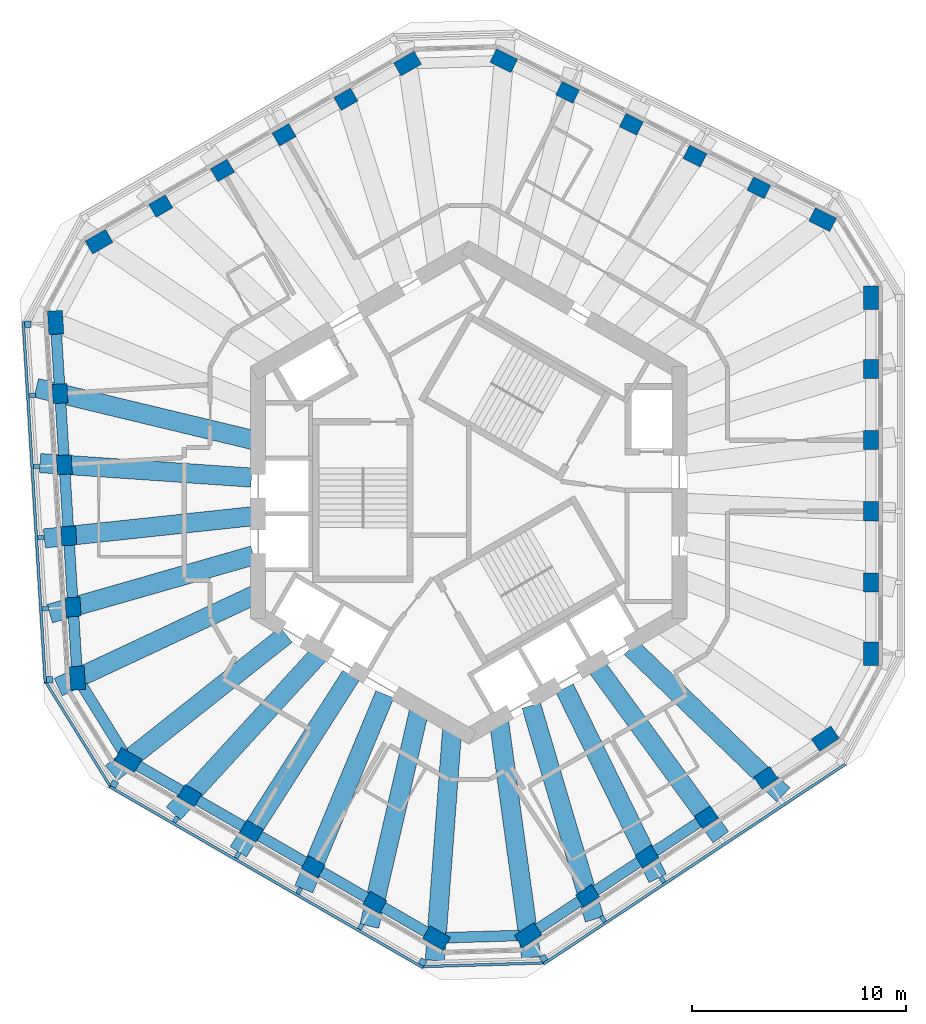
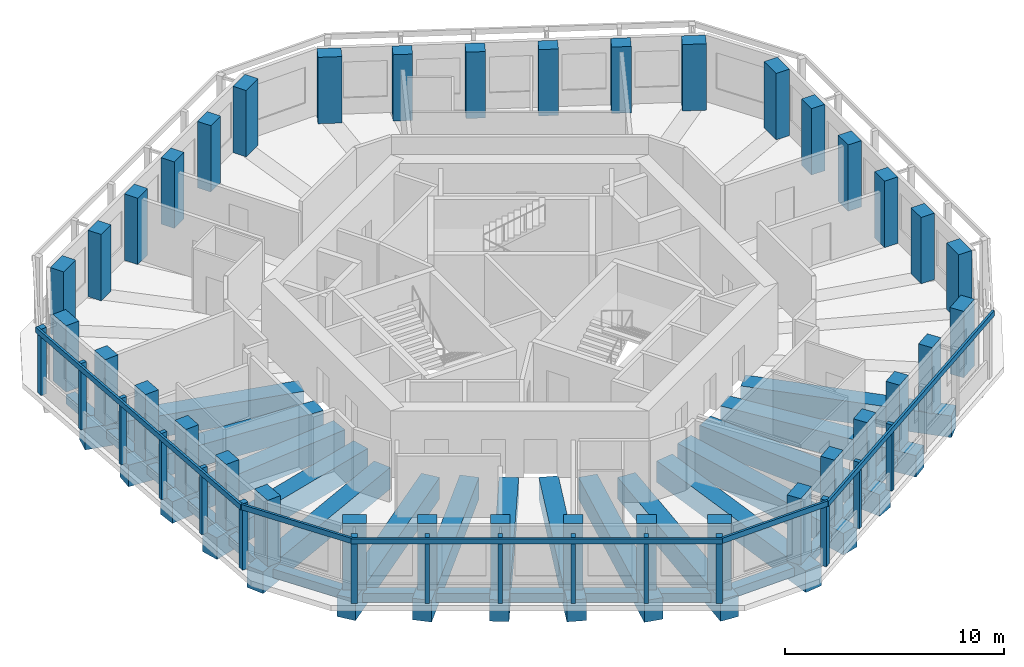
# One storey, part 1 of 11: 36 columns, 31 beams, 20 members, 5 elements without a shape of their own.
"""IFC4 building model written with IfcOpenShell, lengths in metres."""

from ifc_helpers import new_model, si_unit, direction, frame, origin, origin_2d, place, context, subcontext, project, spatial, rectangle, extrude, material, material_profile, profile_set, type_object, element, aggregate, save


model = new_model("IFC4")

# Units and contexts
model_context = context("Model", 3, precision=1e-05, world=origin(), true_north=direction((0.0, 1.0)))
body_context = subcontext(model_context, "Body", "Model", "MODEL_VIEW")
ifc_project = project(units=[si_unit("LENGTHUNIT", "METRE"), si_unit("AREAUNIT", "SQUARE_METRE"), si_unit("VOLUMEUNIT", "CUBIC_METRE"), si_unit("PLANEANGLEUNIT", "RADIAN"), si_unit("MASSUNIT", "GRAM", prefix="KILO")], contexts=[model_context])

# Site, building, storey
site_placement = place(None, origin())
site = spatial("IfcSite", under=ifc_project, at=site_placement, CompositionType="ELEMENT")
building_placement = place(site_placement, origin())
building = spatial("IfcBuilding", under=site, at=building_placement, Name="Vanh Sen Convention Tower", CompositionType="ELEMENT")
storey_placement = place(building_placement, frame((0.0, 0.0, 259.800048828125)))
storey = spatial("IfcBuildingStorey", under=building, at=storey_placement, Name="L64", CompositionType="ELEMENT", Elevation=259.800048828125)

# Columns
ifc_material_1 = material(Name="Concrete C60/75", Category="concrete")
ifc_material_profile_1 = material_profile(ifc_material_1, rectangle(XDim=0.89990234375, YDim=0.699951171875, at=origin_2d()), Name="RC 900X700")
ifc_profile_set_1 = profile_set([ifc_material_profile_1], Name="Concrete C60/75")
column_type_1 = type_object("IfcColumnType", Name="Facade column 900 x 700 C60/75", PredefinedType="COLUMN", material=ifc_profile_set_1)
for number, where, z_axis, x_axis, name in (
    (1, (18.800048828125, -4.215087890625, 0.0), (0.0, 0.0, 1.0), (0.0, 1.0, 0.0), "Facade column 02 L64"),
    (2, (18.800048828125, -0.88330078125, 0.0), (0.0, 0.0, 1.0), (0.0, 1.0, 0.0), "Facade column 03 L64"),
    (3, (18.800048828125, 2.4482421875, 0.0), (0.0, 0.0, 1.0), (0.0, 1.0, 0.0), "Facade column 04 L64"),
    (4, (18.800048828125, 5.77978515625, 0.0), (0.0, 0.0, 1.0), (0.0, 1.0, 0.0), "Facade column 05 L64"),
    (5, (13.56103515625, 14.245849609375, 0.0), (0.0, 0.0, 1.0), (-0.894934361602, 0.44619781311, 0.0), "Facade column 08 L64"),
    (6, (10.57958984375, 15.732421875, 0.0), (0.0, 0.0, 1.0), (-0.894934361602, 0.44619781311, 0.0), "Facade column 09 L64"),
    (7, (7.597900390625, 17.218994140625, 0.0), (0.0, 0.0, 1.0), (-0.894934361602, 0.44619781311, 0.0), "Facade column 10 L64"),
    (8, (4.6162109375, 18.70556640625, 0.0), (0.0, 0.0, 1.0), (-0.894934361602, 0.44619781311, 0.0), "Facade column 11 L64"),
    (9, (-5.74951171875, 18.388916015625, 0.0), (0.0, 0.0, 1.0), (-0.866025403784, -0.5, 0.0), "Facade column 14 L64"),
    (10, (-8.635009765625, 16.722900390625, 0.0), (0.0, 0.0, 1.0), (-0.866025403784, -0.5, 0.0), "Facade column 15 L64"),
    (11, (-11.520263671875, 15.05712890625, 0.0), (0.0, 0.0, 1.0), (-0.866025403784, -0.5, 0.0), "Facade column 16 L64"),
    (12, (-14.405517578125, 13.391357421875, 0.0), (0.0, 0.0, 1.0), (-0.866025403784, -0.5, 0.0), "Facade column 17 L64"),
    (13, (-19.117919921875, 4.621337890625, 0.0), (0.0, 0.0, 1.0), (0.061048539535, -0.998134798422, 0.0), "Facade column 20 L64"),
    (14, (-18.914306640625, 1.2958984375, 0.0), (0.0, 0.0, 1.0), (0.061048539535, -0.998134798422, 0.0), "Facade column 21 L64"),
    (15, (-18.7109375, -2.029541015625, 0.0), (0.0, 0.0, 1.0), (0.061048539535, -0.998134798422, 0.0), "Facade column 22 L64"),
    (16, (-18.507568359375, -5.35498046875, 0.0), (0.0, 0.0, 1.0), (0.061048539535, -0.998134798422, 0.0), "Facade column 23 L64"),
    (17, (-13.05029296875, -14.173583984375, 0.0), (0.0, 0.0, 1.0), (0.866025403784, -0.5, 0.0), "Facade column 26 L64"),
    (18, (-10.1650390625, -15.839599609375, 0.0), (0.0, 0.0, 1.0), (0.866025403784, -0.5, 0.0), "Facade column 27 L64"),
    (19, (-7.27978515625, -17.50537109375, 0.0), (0.0, 0.0, 1.0), (0.866025403784, -0.5, 0.0), "Facade column 28 L64"),
    (20, (-4.39453125, -19.171142578125, 0.0), (0.0, 0.0, 1.0), (0.866025403784, -0.5, 0.0), "Facade column 29 L64"),
    (21, (5.556640625, -18.8671875, 0.0), (0.0, 0.0, 1.0), (0.833885822067, 0.551936985312, 0.0), "Facade column 32 L64"),
    (22, (8.3349609375, -17.0283203125, 0.0), (0.0, 0.0, 1.0), (0.833885822067, 0.551936985312, 0.0), "Facade column 33 L64"),
    (23, (11.113037109375, -15.189453125, 0.0), (0.0, 0.0, 1.0), (0.833885822067, 0.551936985312, 0.0), "Facade column 34 L64"),
    (24, (13.891357421875, -13.3505859375, 0.0), (0.0, 0.0, 1.0), (0.833885822067, 0.551936985312, 0.0), "Facade column 35 L64"),
):
    element("IfcColumn", number, at=place(storey_placement, frame(where, z_axis=z_axis, x_axis=x_axis)), inside=storey, type_object=column_type_1, Name=name, PredefinedType="COLUMN", context=body_context, shape_type="SweptSolid", body=[
        extrude(rectangle(XDim=0.89990234375, YDim=0.699951171875, at=origin_2d()), origin(), (0.0, 0.0, 1.0), 3.699951171875),
    ])
ifc_material_profile_2 = material_profile(ifc_material_1, rectangle(XDim=1.10009765625, YDim=0.699951171875, at=origin_2d()), Name="RC 1100X700")
ifc_profile_set_2 = profile_set([ifc_material_profile_2], Name="Concrete C60/75")
column_type_2 = type_object("IfcColumnType", Name="Facade corner column 1100 x 700 C60/75", PredefinedType="COLUMN", material=ifc_profile_set_2)
for number, where, z_axis, x_axis, name in (
    (25, (18.800048828125, -7.546630859375, 0.0), (0.0, 0.0, 1.0), (0.0, 1.0, 0.0), "Facade column 01 L64"),
    (26, (18.800048828125, 9.111572265625, 0.0), (0.0, 0.0, 1.0), (0.0, 1.0, 0.0), "Facade column 06 L64"),
    (27, (16.542724609375, 12.75927734375, 0.0), (0.0, 0.0, 1.0), (-0.894934361602, 0.44619781311, 0.0), "Facade column 07 L64"),
    (28, (1.634765625, 20.192138671875, 0.0), (0.0, 0.0, 1.0), (-0.894934361602, 0.44619781311, 0.0), "Facade column 12 L64"),
    (29, (-2.8642578125, 20.0546875, 0.0), (0.0, 0.0, 1.0), (-0.866025403784, -0.5, 0.0), "Facade column 13 L64"),
    (30, (-17.290771484375, 11.7255859375, 0.0), (0.0, 0.0, 1.0), (-0.866025403784, -0.5, 0.0), "Facade column 18 L64"),
    (31, (-19.3212890625, 7.94677734375, 0.0), (0.0, 0.0, 1.0), (0.061048539535, -0.998134798422, 0.0), "Facade column 19 L64"),
    (32, (-18.30419921875, -8.680419921875, 0.0), (0.0, 0.0, 1.0), (0.061048539535, -0.998134798422, 0.0), "Facade column 24 L64"),
    (33, (-15.935791015625, -12.5078125, 0.0), (0.0, 0.0, 1.0), (0.866025403784, -0.5, 0.0), "Facade column 25 L64"),
    (34, (-1.50927734375, -20.8369140625, 0.0), (0.0, 0.0, 1.0), (0.866025403784, -0.5, 0.0), "Facade column 30 L64"),
    (35, (2.7783203125, -20.7060546875, 0.0), (0.0, 0.0, 1.0), (0.833885822067, 0.551936985312, 0.0), "Facade column 31 L64"),
    (36, (16.66943359375, -11.51171875, 0.0), (0.0, 0.0, 1.0), (0.833885822067, 0.551936985312, 0.0), "Facade column 36 L64"),
):
    element("IfcColumn", number, at=place(storey_placement, frame(where, z_axis=z_axis, x_axis=x_axis)), inside=storey, type_object=column_type_2, Name=name, PredefinedType="COLUMN", context=body_context, shape_type="SweptSolid", body=[
        extrude(rectangle(XDim=1.10009765625, YDim=0.699951171875, at=origin_2d()), origin(), (0.0, 0.0, 1.0), 3.699951171875),
    ])

# Curtain wall, members
ifc_material_2 = material(Name="Concrete C50/60", Category="concrete")
curtain_wall_type = type_object("IfcCurtainWallType", Name="Outer skin office zone", PredefinedType="NOTDEFINED", material=ifc_material_2)
curtain_wall_1_placement = place(storey_placement, origin())
curtain_wall_1 = element("IfcCurtainWall", 37, at=curtain_wall_1_placement, inside=storey, type_object=curtain_wall_type, Name="OUTER SKIN W L64", PredefinedType="NOTDEFINED")
ifc_material_profile_3 = material_profile(ifc_material_2, rectangle(XDim=0.300048828125, YDim=0.300048828125, at=origin_2d()), Name="Outer skin precast corner fin 300 x 300")
ifc_profile_set_3 = profile_set([ifc_material_profile_3], Name="Concrete C50/60")
member_type_1 = type_object("IfcMemberType", Name="Outer skin precast corner fin 300 x 300", PredefinedType="MULLION", material=ifc_profile_set_3)
member_1_placement = place(storey_placement, frame((-20.618896484375, 7.867431640625, 0.0), z_axis=(0.0, 0.0, 1.0), x_axis=(0.061048539535, -0.998134798422, 0.0)))
member_1 = element("IfcMember", 38, at=member_1_placement, type_object=member_type_1, Name="OUTER SKIN CORNER FIN 1 W L64", PredefinedType="MULLION", context=body_context, shape_type="SweptSolid", body=[
    extrude(rectangle(XDim=0.300048828125, YDim=0.300048828125, at=origin_2d()), origin(), (0.0, 0.0, 1.0), 3.699951171875),
])
member_2_placement = place(storey_placement, frame((-19.601806640625, -8.759765625, 0.0), z_axis=(0.0, 0.0, 1.0), x_axis=(0.061048539535, -0.998134798422, 0.0)))
member_2 = element("IfcMember", 39, at=member_2_placement, type_object=member_type_1, Name="OUTER SKIN CORNER FIN 6 W L64", PredefinedType="MULLION", context=body_context, shape_type="SweptSolid", body=[
    extrude(rectangle(XDim=0.300048828125, YDim=0.300048828125, at=origin_2d()), origin(), (0.0, 0.0, 1.0), 3.699951171875),
])

curtain_wall_2_placement = place(storey_placement, origin())
curtain_wall_2 = element("IfcCurtainWall", 40, at=curtain_wall_2_placement, inside=storey, type_object=curtain_wall_type, Name="OUTER SKIN SW L64", PredefinedType="NOTDEFINED")
member_3_placement = place(storey_placement, frame((-16.585693359375, -13.6337890625, 0.0), z_axis=(0.0, 0.0, 1.0), x_axis=(0.866025403784, -0.5, 0.0)))
member_3 = element("IfcMember", 41, at=member_3_placement, type_object=member_type_1, Name="OUTER SKIN CORNER FIN 1 SW L64", PredefinedType="MULLION", context=body_context, shape_type="SweptSolid", body=[
    extrude(rectangle(XDim=0.300048828125, YDim=0.300048828125, at=origin_2d()), origin(), (0.0, 0.0, 1.0), 3.699951171875),
])
member_4_placement = place(storey_placement, frame((-2.1591796875, -21.962890625, 0.0), z_axis=(0.0, 0.0, 1.0), x_axis=(0.866025403784, -0.5, 0.0)))
member_4 = element("IfcMember", 42, at=member_4_placement, type_object=member_type_1, Name="OUTER SKIN CORNER FIN 6 SW L64", PredefinedType="MULLION", context=body_context, shape_type="SweptSolid", body=[
    extrude(rectangle(XDim=0.300048828125, YDim=0.300048828125, at=origin_2d()), origin(), (0.0, 0.0, 1.0), 3.699951171875),
])

# Curtain wall, member
curtain_wall_3_placement = place(storey_placement, origin())
curtain_wall_3 = element("IfcCurtainWall", 43, at=curtain_wall_3_placement, inside=storey, type_object=curtain_wall_type, Name="OUTER SKIN SE L64", PredefinedType="NOTDEFINED")
member_5_placement = place(storey_placement, frame((3.495849609375, -21.7900390625, 0.0), z_axis=(0.0, 0.0, 1.0), x_axis=(0.833885822067, 0.551936985312, 0.0)))
member_5 = element("IfcMember", 44, at=member_5_placement, type_object=member_type_1, Name="OUTER SKIN CORNER FIN 1 SE L64", PredefinedType="MULLION", context=body_context, shape_type="SweptSolid", body=[
    extrude(rectangle(XDim=0.300048828125, YDim=0.300048828125, at=origin_2d()), origin(), (0.0, 0.0, 1.0), 3.699951171875),
])

# Member
ifc_material_profile_4 = material_profile(ifc_material_2, rectangle(XDim=0.199951171875, YDim=0.300048828125, at=origin_2d()), Name="Outer skin precast fin 200 x 300")
ifc_profile_set_4 = profile_set([ifc_material_profile_4], Name="Concrete C50/60")
member_type_2 = type_object("IfcMemberType", Name="Outer skin precast fin 200 x 300", PredefinedType="MULLION", material=ifc_profile_set_4)
member_6_placement = place(storey_placement, frame((-20.415283203125, 4.5419921875, 0.0), z_axis=(0.0, 0.0, 1.0), x_axis=(0.061048539535, -0.998134798422, 0.0)))
member_6 = element("IfcMember", 45, at=member_6_placement, type_object=member_type_2, Name="OUTER SKIN fin 2 W L64", PredefinedType="MULLION", context=body_context, shape_type="SweptSolid", body=[
    extrude(rectangle(XDim=0.199951171875, YDim=0.300048828125, at=origin_2d()), origin(), (0.0, 0.0, 1.0), 3.699951171875),
])

member_7_placement = place(storey_placement, frame((-20.2119140625, 1.216552734375, 0.0), z_axis=(0.0, 0.0, 1.0), x_axis=(0.061048539535, -0.998134798422, 0.0)))
member_7 = element("IfcMember", 46, at=member_7_placement, type_object=member_type_2, Name="OUTER SKIN fin 3 W L64", PredefinedType="MULLION", context=body_context, shape_type="SweptSolid", body=[
    extrude(rectangle(XDim=0.199951171875, YDim=0.300048828125, at=origin_2d()), origin(), (0.0, 0.0, 1.0), 3.699951171875),
])

member_8_placement = place(storey_placement, frame((-20.008544921875, -2.10888671875, 0.0), z_axis=(0.0, 0.0, 1.0), x_axis=(0.061048539535, -0.998134798422, 0.0)))
member_8 = element("IfcMember", 47, at=member_8_placement, type_object=member_type_2, Name="OUTER SKIN fin 4 W L64", PredefinedType="MULLION", context=body_context, shape_type="SweptSolid", body=[
    extrude(rectangle(XDim=0.199951171875, YDim=0.300048828125, at=origin_2d()), origin(), (0.0, 0.0, 1.0), 3.699951171875),
])

member_9_placement = place(storey_placement, frame((-19.80517578125, -5.434326171875, 0.0), z_axis=(0.0, 0.0, 1.0), x_axis=(0.061048539535, -0.998134798422, 0.0)))
member_9 = element("IfcMember", 48, at=member_9_placement, type_object=member_type_2, Name="OUTER SKIN fin 5 W L64", PredefinedType="MULLION", context=body_context, shape_type="SweptSolid", body=[
    extrude(rectangle(XDim=0.199951171875, YDim=0.300048828125, at=origin_2d()), origin(), (0.0, 0.0, 1.0), 3.699951171875),
])

member_10_placement = place(storey_placement, frame((-13.700439453125, -15.299560546875, 0.0), z_axis=(0.0, 0.0, 1.0), x_axis=(0.866025403784, -0.5, 0.0)))
member_10 = element("IfcMember", 49, at=member_10_placement, type_object=member_type_2, Name="OUTER SKIN fin 2 SW L64", PredefinedType="MULLION", context=body_context, shape_type="SweptSolid", body=[
    extrude(rectangle(XDim=0.199951171875, YDim=0.300048828125, at=origin_2d()), origin(), (0.0, 0.0, 1.0), 3.699951171875),
])

member_11_placement = place(storey_placement, frame((-10.815185546875, -16.96533203125, 0.0), z_axis=(0.0, 0.0, 1.0), x_axis=(0.866025403784, -0.5, 0.0)))
member_11 = element("IfcMember", 50, at=member_11_placement, type_object=member_type_2, Name="OUTER SKIN fin 3 SW L64", PredefinedType="MULLION", context=body_context, shape_type="SweptSolid", body=[
    extrude(rectangle(XDim=0.199951171875, YDim=0.300048828125, at=origin_2d()), origin(), (0.0, 0.0, 1.0), 3.699951171875),
])

member_12_placement = place(storey_placement, frame((-7.9296875, -18.631103515625, 0.0), z_axis=(0.0, 0.0, 1.0), x_axis=(0.866025403784, -0.5, 0.0)))
member_12 = element("IfcMember", 51, at=member_12_placement, type_object=member_type_2, Name="OUTER SKIN fin 4 SW L64", PredefinedType="MULLION", context=body_context, shape_type="SweptSolid", body=[
    extrude(rectangle(XDim=0.199951171875, YDim=0.300048828125, at=origin_2d()), origin(), (0.0, 0.0, 1.0), 3.699951171875),
])

member_13_placement = place(storey_placement, frame((-5.04443359375, -20.297119140625, 0.0), z_axis=(0.0, 0.0, 1.0), x_axis=(0.866025403784, -0.5, 0.0)))
member_13 = element("IfcMember", 52, at=member_13_placement, type_object=member_type_2, Name="OUTER SKIN fin 5 SW L64", PredefinedType="MULLION", context=body_context, shape_type="SweptSolid", body=[
    extrude(rectangle(XDim=0.199951171875, YDim=0.300048828125, at=origin_2d()), origin(), (0.0, 0.0, 1.0), 3.699951171875),
])

member_14_placement = place(storey_placement, frame((6.274169921875, -19.951416015625, 0.0), z_axis=(0.0, 0.0, 1.0), x_axis=(0.833885822067, 0.551936985312, 0.0)))
member_14 = element("IfcMember", 53, at=member_14_placement, type_object=member_type_2, Name="OUTER SKIN fin 2 SE L64", PredefinedType="MULLION", context=body_context, shape_type="SweptSolid", body=[
    extrude(rectangle(XDim=0.199951171875, YDim=0.300048828125, at=origin_2d()), origin(), (0.0, 0.0, 1.0), 3.699951171875),
])

member_15_placement = place(storey_placement, frame((9.052490234375, -18.1123046875, 0.0), z_axis=(0.0, 0.0, 1.0), x_axis=(0.833885822067, 0.551936985312, 0.0)))
member_15 = element("IfcMember", 54, at=member_15_placement, type_object=member_type_2, Name="OUTER SKIN fin 3 SE L64", PredefinedType="MULLION", context=body_context, shape_type="SweptSolid", body=[
    extrude(rectangle(XDim=0.199951171875, YDim=0.300048828125, at=origin_2d()), origin(), (0.0, 0.0, 1.0), 3.699951171875),
])

ifc_material_profile_5 = material_profile(ifc_material_2, rectangle(XDim=0.1201171875, YDim=0.300048828125, at=origin_2d()), Name="Outer skin precast spandrel band 300 x 120")
ifc_profile_set_5 = profile_set([ifc_material_profile_5], Name="Concrete C50/60")
member_type_3 = type_object("IfcMemberType", Name="Outer skin precast spandrel band 300 x 120", PredefinedType="USERDEFINED", material=ifc_profile_set_5)
member_16_placement = place(storey_placement, frame((-20.83740234375, 8.00439453125, 3.550048828125), z_axis=(0.061040984027, -0.998135260508, 0.0), x_axis=(0.998135260508, 0.061040984027, 0.0)))
member_16 = element("IfcMember", 55, at=member_16_placement, type_object=member_type_3, Name="OUTER SKIN spandrel band W L64", ObjectType="TRANSOM", PredefinedType="USERDEFINED", context=body_context, shape_type="SweptSolid", body=[
    extrude(rectangle(XDim=0.1201171875, YDim=0.300048828125, at=origin_2d()), origin(), (0.0, 0.0, 1.0), 16.95849609375),
])

aggregate(curtain_wall_1, [member_1, member_6, member_7, member_8, member_9, member_2, member_16])

# Curtain wall, member
curtain_wall_4_placement = place(storey_placement, origin())
curtain_wall_4 = element("IfcCurtainWall", 56, at=curtain_wall_4_placement, inside=storey, type_object=curtain_wall_type, Name="OUTER SKIN CH4 L64", PredefinedType="NOTDEFINED")
member_17_placement = place(storey_placement, frame((-19.7802734375, -8.870361328125, 3.550048828125), z_axis=(0.526199162152, -0.850361359512, 0.0), x_axis=(0.850361359512, 0.526199162152, 0.0)))
member_17 = element("IfcMember", 57, at=member_17_placement, type_object=member_type_3, Name="OUTER SKIN spandrel band CH4 L64", ObjectType="TRANSOM", PredefinedType="USERDEFINED", context=body_context, shape_type="SweptSolid", body=[
    extrude(rectangle(XDim=0.1201171875, YDim=0.300048828125, at=origin_2d()), origin(), (0.0, 0.0, 1.0), 5.7314453125),
])
aggregate(curtain_wall_4, [member_17])

# Member
member_18_placement = place(storey_placement, frame((-16.820556640625, -13.740478515625, 3.550048828125), z_axis=(0.866022320763, -0.500005339912, 0.0), x_axis=(0.500005339912, 0.866022320763, 0.0)))
member_18 = element("IfcMember", 58, at=member_18_placement, type_object=member_type_3, Name="OUTER SKIN spandrel band SW L64", ObjectType="TRANSOM", PredefinedType="USERDEFINED", context=body_context, shape_type="SweptSolid", body=[
    extrude(rectangle(XDim=0.1201171875, YDim=0.300048828125, at=origin_2d()), origin(), (0.0, 0.0, 1.0), 16.958251953125),
])

aggregate(curtain_wall_2, [member_3, member_10, member_11, member_12, member_13, member_4, member_18])

# Curtain wall, member
curtain_wall_5_placement = place(storey_placement, origin())
curtain_wall_5 = element("IfcCurtainWall", 59, at=curtain_wall_5_placement, inside=storey, type_object=curtain_wall_type, Name="OUTER SKIN CH5 L64", PredefinedType="NOTDEFINED")
member_19_placement = place(storey_placement, frame((-2.15283203125, -22.172607421875, 3.550048828125), z_axis=(0.999534504066, 0.030508608314, 0.0), x_axis=(-0.030508608314, 0.999534504066, 0.0)))
member_19 = element("IfcMember", 60, at=member_19_placement, type_object=member_type_3, Name="OUTER SKIN spandrel band CH5 L64", ObjectType="TRANSOM", PredefinedType="USERDEFINED", context=body_context, shape_type="SweptSolid", body=[
    extrude(rectangle(XDim=0.1201171875, YDim=0.300048828125, at=origin_2d()), origin(), (0.0, 0.0, 1.0), 5.65771484375),
])
aggregate(curtain_wall_5, [member_19])

# Member
member_20_placement = place(storey_placement, frame((3.48681640625, -22.048095703125, 3.550048828125), z_axis=(0.833877443168, 0.551949644239, 0.0), x_axis=(-0.551949644239, 0.833877443168, 0.0)))
member_20 = element("IfcMember", 61, at=member_20_placement, type_object=member_type_3, Name="OUTER SKIN spandrel band SE L64", ObjectType="TRANSOM", PredefinedType="USERDEFINED", context=body_context, shape_type="SweptSolid", body=[
    extrude(rectangle(XDim=0.1201171875, YDim=0.300048828125, at=origin_2d()), origin(), (0.0, 0.0, 1.0), 16.958251953125),
])

aggregate(curtain_wall_3, [member_5, member_14, member_15, member_20])

# Beams
ifc_material_3 = material(Name="Concrete C50/60", Category="concrete")
ifc_material_profile_6 = material_profile(ifc_material_3, rectangle(XDim=0.5, YDim=0.5, at=origin_2d()), Name="RC 500X500")
ifc_profile_set_6 = profile_set([ifc_material_profile_6], Name="Concrete C50/60")
beam_type_1 = type_object("IfcBeamType", Name="Spandrel beam 500 x 500", PredefinedType="SPANDREL", material=ifc_profile_set_6)
beam_1_placement = place(storey_placement, frame((-19.29833984375, 7.573486328125, -0.530029296875), z_axis=(0.061023096793, -0.998136354241, 0.0), x_axis=(0.998136354241, 0.061023096793, 0.0)))
element("IfcBeam", 62, at=beam_1_placement, inside=storey, type_object=beam_type_1, Name="Spandrel beam 19 L64", PredefinedType="SPANDREL", context=body_context, shape_type="SweptSolid", body=[
    extrude(rectangle(XDim=0.5, YDim=0.5, at=origin_2d()), origin(), (0.0, 0.0, 1.0), 2.568603515625),
])
beam_2_placement = place(storey_placement, frame((-19.093994140625, 4.23291015625, -0.530029296875), z_axis=(0.061078624071, -0.998132957918, 0.0), x_axis=(0.998132957918, 0.061078624071, 0.0)))
element("IfcBeam", 63, at=beam_2_placement, inside=storey, type_object=beam_type_1, Name="Spandrel beam 20 L64", PredefinedType="SPANDREL", context=body_context, shape_type="SweptSolid", body=[
    extrude(rectangle(XDim=0.5, YDim=0.5, at=origin_2d()), origin(), (0.0, 0.0, 1.0), 2.526123046875),
])
beam_3_placement = place(storey_placement, frame((-18.888916015625, 0.880615234375, -0.530029296875), z_axis=(0.061000040749, -0.998137763552, 0.0), x_axis=(0.998137763552, 0.061000040749, 0.0)))
element("IfcBeam", 64, at=beam_3_placement, inside=storey, type_object=beam_type_1, Name="Spandrel beam 21 L64", PredefinedType="SPANDREL", context=body_context, shape_type="SweptSolid", body=[
    extrude(rectangle(XDim=0.5, YDim=0.5, at=origin_2d()), origin(), (0.0, 0.0, 1.0), 2.4814453125),
])
beam_4_placement = place(storey_placement, frame((-18.6845703125, -2.462890625, -0.530029296875), z_axis=(0.061112051323, -0.998130911846, 0.0), x_axis=(0.998130911846, 0.061112051323, 0.0)))
element("IfcBeam", 65, at=beam_4_placement, inside=storey, type_object=beam_type_1, Name="Spandrel beam 22 L64", PredefinedType="SPANDREL", context=body_context, shape_type="SweptSolid", body=[
    extrude(rectangle(XDim=0.5, YDim=0.5, at=origin_2d()), origin(), (0.0, 0.0, 1.0), 2.496826171875),
])
beam_5_placement = place(storey_placement, frame((-18.483154296875, -5.7548828125, -0.530029296875), z_axis=(0.061055582603, -0.998134367624, 0.0), x_axis=(0.998134367624, 0.061055582603, 0.0)))
element("IfcBeam", 66, at=beam_5_placement, inside=storey, type_object=beam_type_1, Name="Spandrel beam 23 L64", PredefinedType="SPANDREL", context=body_context, shape_type="SweptSolid", body=[
    extrude(rectangle(XDim=0.5, YDim=0.5, at=origin_2d()), origin(), (0.0, 0.0, 1.0), 2.551025390625),
])
beam_6_placement = place(storey_placement, frame((-18.083740234375, -9.03662109375, -0.530029296875), z_axis=(0.526189403967, -0.850367397748, 0.0), x_axis=(0.850367397748, 0.526189403967, 0.0)))
element("IfcBeam", 67, at=beam_6_placement, inside=storey, type_object=beam_type_1, Name="Spandrel beam 24 L64", PredefinedType="SPANDREL", context=body_context, shape_type="SweptSolid", body=[
    extrude(rectangle(XDim=0.5, YDim=0.5, at=origin_2d()), origin(), (0.0, 0.0, 1.0), 3.6630859375),
])
beam_7_placement = place(storey_placement, frame((-15.606689453125, -12.697998046875, -0.530029296875), z_axis=(0.866067665301, -0.499926793761, 0.0), x_axis=(0.499926793761, 0.866067665301, 0.0)))
element("IfcBeam", 68, at=beam_7_placement, inside=storey, type_object=beam_type_1, Name="Spandrel beam 25 L64", PredefinedType="SPANDREL", context=body_context, shape_type="SweptSolid", body=[
    extrude(rectangle(XDim=0.5, YDim=0.5, at=origin_2d()), origin(), (0.0, 0.0, 1.0), 2.55126953125),
])
beam_8_placement = place(storey_placement, frame((-12.703369140625, -14.3740234375, -0.530029296875), z_axis=(0.86600810095, -0.50002996819, 0.0), x_axis=(0.50002996819, 0.86600810095, 0.0)))
element("IfcBeam", 69, at=beam_8_placement, inside=storey, type_object=beam_type_1, Name="Spandrel beam 26 L64", PredefinedType="SPANDREL", context=body_context, shape_type="SweptSolid", body=[
    extrude(rectangle(XDim=0.5, YDim=0.5, at=origin_2d()), origin(), (0.0, 0.0, 1.0), 2.496826171875),
])
beam_9_placement = place(storey_placement, frame((-9.7890625, -16.056640625, -0.530029296875), z_axis=(0.865993860735, -0.500054630185, 0.0), x_axis=(0.500054630185, 0.865993860735, 0.0)))
element("IfcBeam", 70, at=beam_9_placement, inside=storey, type_object=beam_type_1, Name="Spandrel beam 27 L64", PredefinedType="SPANDREL", context=body_context, shape_type="SweptSolid", body=[
    extrude(rectangle(XDim=0.5, YDim=0.5, at=origin_2d()), origin(), (0.0, 0.0, 1.0), 2.481201171875),
])
beam_10_placement = place(storey_placement, frame((-6.919189453125, -17.71337890625, -0.530029296875), z_axis=(0.865968311269, -0.500098874101, 0.0), x_axis=(0.500098874101, 0.865968311269, 0.0)))
element("IfcBeam", 71, at=beam_10_placement, inside=storey, type_object=beam_type_1, Name="Spandrel beam 28 L64", PredefinedType="SPANDREL", context=body_context, shape_type="SweptSolid", body=[
    extrude(rectangle(XDim=0.5, YDim=0.5, at=origin_2d()), origin(), (0.0, 0.0, 1.0), 2.5263671875),
])
beam_11_placement = place(storey_placement, frame((-4.0576171875, -19.36572265625, -0.530029296875), z_axis=(0.866058970937, -0.499941855479, 0.0), x_axis=(0.499941855479, 0.866058970937, 0.0)))
element("IfcBeam", 72, at=beam_11_placement, inside=storey, type_object=beam_type_1, Name="Spandrel beam 29 L64", PredefinedType="SPANDREL", context=body_context, shape_type="SweptSolid", body=[
    extrude(rectangle(XDim=0.5, YDim=0.5, at=origin_2d()), origin(), (0.0, 0.0, 1.0), 2.568603515625),
])
beam_12_placement = place(storey_placement, frame((-1.08837890625, -20.82421875, -0.530029296875), z_axis=(0.999534069962, 0.030522827275, 0.0), x_axis=(-0.030522827275, 0.999534069962, 0.0)))
element("IfcBeam", 73, at=beam_12_placement, inside=storey, type_object=beam_type_1, Name="Spandrel beam 30 L64", PredefinedType="SPANDREL", context=body_context, shape_type="SweptSolid", body=[
    extrude(rectangle(XDim=0.5, YDim=0.5, at=origin_2d()), origin(), (0.0, 0.0, 1.0), 3.447509765625),
])
beam_13_placement = place(storey_placement, frame((3.09033203125, -20.49951171875, -0.530029296875), z_axis=(0.833917408929, 0.551889259802, 0.0), x_axis=(-0.551889259802, 0.833917408929, 0.0)))
element("IfcBeam", 74, at=beam_13_placement, inside=storey, type_object=beam_type_1, Name="Spandrel beam 31 L64", PredefinedType="SPANDREL", context=body_context, shape_type="SweptSolid", body=[
    extrude(rectangle(XDim=0.5, YDim=0.5, at=origin_2d()), origin(), (0.0, 0.0, 1.0), 2.568359375),
])
beam_14_placement = place(storey_placement, frame((5.881103515625, -18.65234375, -0.530029296875), z_axis=(0.833904080438, 0.551909398932, 0.0), x_axis=(-0.551909398932, 0.833904080438, 0.0)))
element("IfcBeam", 75, at=beam_14_placement, inside=storey, type_object=beam_type_1, Name="Spandrel beam 32 L64", PredefinedType="SPANDREL", context=body_context, shape_type="SweptSolid", body=[
    extrude(rectangle(XDim=0.5, YDim=0.5, at=origin_2d()), origin(), (0.0, 0.0, 1.0), 2.5263671875),
])
beam_15_placement = place(storey_placement, frame((8.681884765625, -16.798583984375, -0.530029296875), z_axis=(0.833937532762, 0.551858851022, 0.0), x_axis=(-0.551858851022, 0.833937532762, 0.0)))
element("IfcBeam", 76, at=beam_15_placement, inside=storey, type_object=beam_type_1, Name="Spandrel beam 33 L64", PredefinedType="SPANDREL", context=body_context, shape_type="SweptSolid", body=[
    extrude(rectangle(XDim=0.5, YDim=0.5, at=origin_2d()), origin(), (0.0, 0.0, 1.0), 2.4814453125),
])
ifc_material_profile_7 = material_profile(ifc_material_3, rectangle(XDim=0.89990234375, YDim=1.199951171875, at=origin_2d()), Name="RC 900X1200")
ifc_profile_set_7 = profile_set([ifc_material_profile_7], Name="Concrete C50/60")
beam_type_2 = type_object("IfcBeamType", Name="Transfer beam 900 x 1200", PredefinedType="BEAM", material=ifc_profile_set_7)
beam_16_placement = place(storey_placement, frame((-20.2265625, 4.8876953125, -0.60009765625), z_axis=(0.97232115207, -0.233648405169, 0.0), x_axis=(0.233648405169, 0.97232115207, 0.0)))
element("IfcBeam", 77, at=beam_16_placement, inside=storey, type_object=beam_type_2, Name="Transfer beam 20 L64", PredefinedType="BEAM", context=body_context, shape_type="SweptSolid", body=[
    extrude(rectangle(XDim=0.89990234375, YDim=1.199951171875, at=origin_2d()), origin(), (0.0, 0.0, 1.0), 10.425048828125),
])
beam_17_placement = place(storey_placement, frame((-20.04736328125, 1.37353515625, -0.60009765625), z_axis=(0.997653603586, -0.068463765983, 0.0), x_axis=(0.068463765983, 0.997653603586, 0.0)))
element("IfcBeam", 78, at=beam_17_placement, inside=storey, type_object=beam_type_2, Name="Transfer beam 21 L64", PredefinedType="BEAM", context=body_context, shape_type="SweptSolid", body=[
    extrude(rectangle(XDim=0.89990234375, YDim=1.199951171875, at=origin_2d()), origin(), (0.0, 0.0, 1.0), 9.90625),
])
beam_18_placement = place(storey_placement, frame((-19.850830078125, -2.151123046875, -0.60009765625), z_axis=(0.994350155593, 0.106149743627, 0.0), x_axis=(-0.106149743627, 0.994350155593, 0.0)))
element("IfcBeam", 79, at=beam_18_placement, inside=storey, type_object=beam_type_2, Name="Transfer beam 22 L64", PredefinedType="BEAM", context=body_context, shape_type="SweptSolid", body=[
    extrude(rectangle(XDim=0.89990234375, YDim=1.199951171875, at=origin_2d()), origin(), (0.0, 0.0, 1.0), 9.7587890625),
])
beam_19_placement = place(storey_placement, frame((-19.59765625, -5.66650390625, -0.60009765625), z_axis=(0.961467206353, 0.274919644821, 0.0), x_axis=(-0.274919644821, 0.961467206353, 0.0)))
element("IfcBeam", 80, at=beam_19_placement, inside=storey, type_object=beam_type_2, Name="Transfer beam 23 L64", PredefinedType="BEAM", context=body_context, shape_type="SweptSolid", body=[
    extrude(rectangle(XDim=0.89990234375, YDim=1.199951171875, at=origin_2d()), origin(), (0.0, 0.0, 1.0), 9.907958984375),
])
beam_20_placement = place(storey_placement, frame((-19.20068359375, -9.10107421875, -0.60009765625), z_axis=(0.905328426128, 0.42471218589, 0.0), x_axis=(-0.42471218589, 0.905328426128, 0.0)))
element("IfcBeam", 81, at=beam_20_placement, inside=storey, type_object=beam_type_2, Name="Transfer beam 24 L64", PredefinedType="BEAM", context=body_context, shape_type="SweptSolid", body=[
    extrude(rectangle(XDim=0.89990234375, YDim=1.199951171875, at=origin_2d()), origin(), (0.0, 0.0, 1.0), 10.157958984375),
])
beam_21_placement = place(storey_placement, frame((-16.712158203125, -13.12255859375, -0.60009765625), z_axis=(0.784025404772, 0.620728736787, 0.0), x_axis=(-0.620728736787, 0.784025404772, 0.0)))
element("IfcBeam", 82, at=beam_21_placement, inside=storey, type_object=beam_type_2, Name="Transfer beam 25 L64", PredefinedType="BEAM", context=body_context, shape_type="SweptSolid", body=[
    extrude(rectangle(XDim=0.89990234375, YDim=1.199951171875, at=origin_2d()), origin(), (0.0, 0.0, 1.0), 10.425048828125),
])
beam_22_placement = place(storey_placement, frame((-13.815673828125, -15.010009765625, -0.60009765625), z_axis=(0.675046395911, 0.737775279721, 0.0), x_axis=(-0.737775279721, 0.675046395911, 0.0)))
element("IfcBeam", 83, at=beam_22_placement, inside=storey, type_object=beam_type_2, Name="Transfer beam 26 L64", PredefinedType="BEAM", context=body_context, shape_type="SweptSolid", body=[
    extrude(rectangle(XDim=0.89990234375, YDim=1.199951171875, at=origin_2d()), origin(), (0.0, 0.0, 1.0), 10.045166015625),
])
beam_23_placement = place(storey_placement, frame((-10.782470703125, -16.80517578125, -0.60009765625), z_axis=(0.538688135238, 0.842505248027, 0.0), x_axis=(-0.842505248027, 0.538688135238, 0.0)))
element("IfcBeam", 84, at=beam_23_placement, inside=storey, type_object=beam_type_2, Name="Transfer beam 27 L64", PredefinedType="BEAM", context=body_context, shape_type="SweptSolid", body=[
    extrude(rectangle(XDim=0.89990234375, YDim=1.199951171875, at=origin_2d()), origin(), (0.0, 0.0, 1.0), 9.7802734375),
])
beam_24_placement = place(storey_placement, frame((-7.7158203125, -18.553955078125, -0.60009765625), z_axis=(0.383888282626, 0.923379546266, 0.0), x_axis=(-0.923379546266, 0.383888282626, 0.0)))
element("IfcBeam", 85, at=beam_24_placement, inside=storey, type_object=beam_type_2, Name="Transfer beam 28 L64", PredefinedType="BEAM", context=body_context, shape_type="SweptSolid", body=[
    extrude(rectangle(XDim=0.89990234375, YDim=1.199951171875, at=origin_2d()), origin(), (0.0, 0.0, 1.0), 9.8720703125),
])
beam_25_placement = place(storey_placement, frame((-4.65087890625, -20.282470703125, -0.60009765625), z_axis=(0.224764077603, 0.974413212872, 0.0), x_axis=(-0.974413212872, 0.224764077603, 0.0)))
element("IfcBeam", 86, at=beam_25_placement, inside=storey, type_object=beam_type_2, Name="Transfer beam 29 L64", PredefinedType="BEAM", context=body_context, shape_type="SweptSolid", body=[
    extrude(rectangle(XDim=0.89990234375, YDim=1.199951171875, at=origin_2d()), origin(), (0.0, 0.0, 1.0), 10.276611328125),
])
beam_26_placement = place(storey_placement, frame((-1.587890625, -21.88818359375, -0.60009765625), z_axis=(0.074676092369, 0.997207842543, 0.0), x_axis=(-0.997207842543, 0.074676092369, 0.0)))
element("IfcBeam", 87, at=beam_26_placement, inside=storey, type_object=beam_type_2, Name="Transfer beam 30 L64", PredefinedType="BEAM", context=body_context, shape_type="SweptSolid", body=[
    extrude(rectangle(XDim=0.89990234375, YDim=1.199951171875, at=origin_2d()), origin(), (0.0, 0.0, 1.0), 10.821533203125),
])
beam_27_placement = place(storey_placement, frame((2.921142578125, -21.75048828125, -0.60009765625), z_axis=(-0.135451948552, 0.990783916721, 0.0), x_axis=(-0.990783916721, -0.135451948552, 0.0)))
element("IfcBeam", 88, at=beam_27_placement, inside=storey, type_object=beam_type_2, Name="Transfer beam 31 L64", PredefinedType="BEAM", context=body_context, shape_type="SweptSolid", body=[
    extrude(rectangle(XDim=0.89990234375, YDim=1.199951171875, at=origin_2d()), origin(), (0.0, 0.0, 1.0), 11.095703125),
])
beam_28_placement = place(storey_placement, frame((5.88037109375, -19.960693359375, -0.60009765625), z_axis=(-0.283805261167, 0.958881939414, 0.0), x_axis=(-0.958881939414, -0.283805261167, 0.0)))
element("IfcBeam", 89, at=beam_28_placement, inside=storey, type_object=beam_type_2, Name="Transfer beam 32 L64", PredefinedType="BEAM", context=body_context, shape_type="SweptSolid", body=[
    extrude(rectangle(XDim=0.89990234375, YDim=1.199951171875, at=origin_2d()), origin(), (0.0, 0.0, 1.0), 10.42529296875),
])
beam_29_placement = place(storey_placement, frame((8.833984375, -18.04833984375, -0.60009765625), z_axis=(-0.439508021087, 0.898238665055, 0.0), x_axis=(-0.898238665055, -0.439508021087, 0.0)))
element("IfcBeam", 90, at=beam_29_placement, inside=storey, type_object=beam_type_2, Name="Transfer beam 33 L64", PredefinedType="BEAM", context=body_context, shape_type="SweptSolid", body=[
    extrude(rectangle(XDim=0.89990234375, YDim=1.199951171875, at=origin_2d()), origin(), (0.0, 0.0, 1.0), 9.906494140625),
])
beam_30_placement = place(storey_placement, frame((11.788330078125, -16.11572265625, -0.60009765625), z_axis=(-0.589117370895, 0.808047475901, 0.0), x_axis=(-0.808047475901, -0.589117370895, 0.0)))
element("IfcBeam", 91, at=beam_30_placement, inside=storey, type_object=beam_type_2, Name="Transfer beam 34 L64", PredefinedType="BEAM", context=body_context, shape_type="SweptSolid", body=[
    extrude(rectangle(XDim=0.89990234375, YDim=1.199951171875, at=origin_2d()), origin(), (0.0, 0.0, 1.0), 9.7587890625),
])
beam_31_placement = place(storey_placement, frame((14.706298828125, -14.138671875, -0.60009765625), z_axis=(-0.718859486247, 0.695155406389, 0.0), x_axis=(-0.695155406389, -0.718859486247, 0.0)))
element("IfcBeam", 92, at=beam_31_placement, inside=storey, type_object=beam_type_2, Name="Transfer beam 35 L64", PredefinedType="BEAM", context=body_context, shape_type="SweptSolid", body=[
    extrude(rectangle(XDim=0.89990234375, YDim=1.199951171875, at=origin_2d()), origin(), (0.0, 0.0, 1.0), 9.908203125),
])

save(model, "model.ifc")
